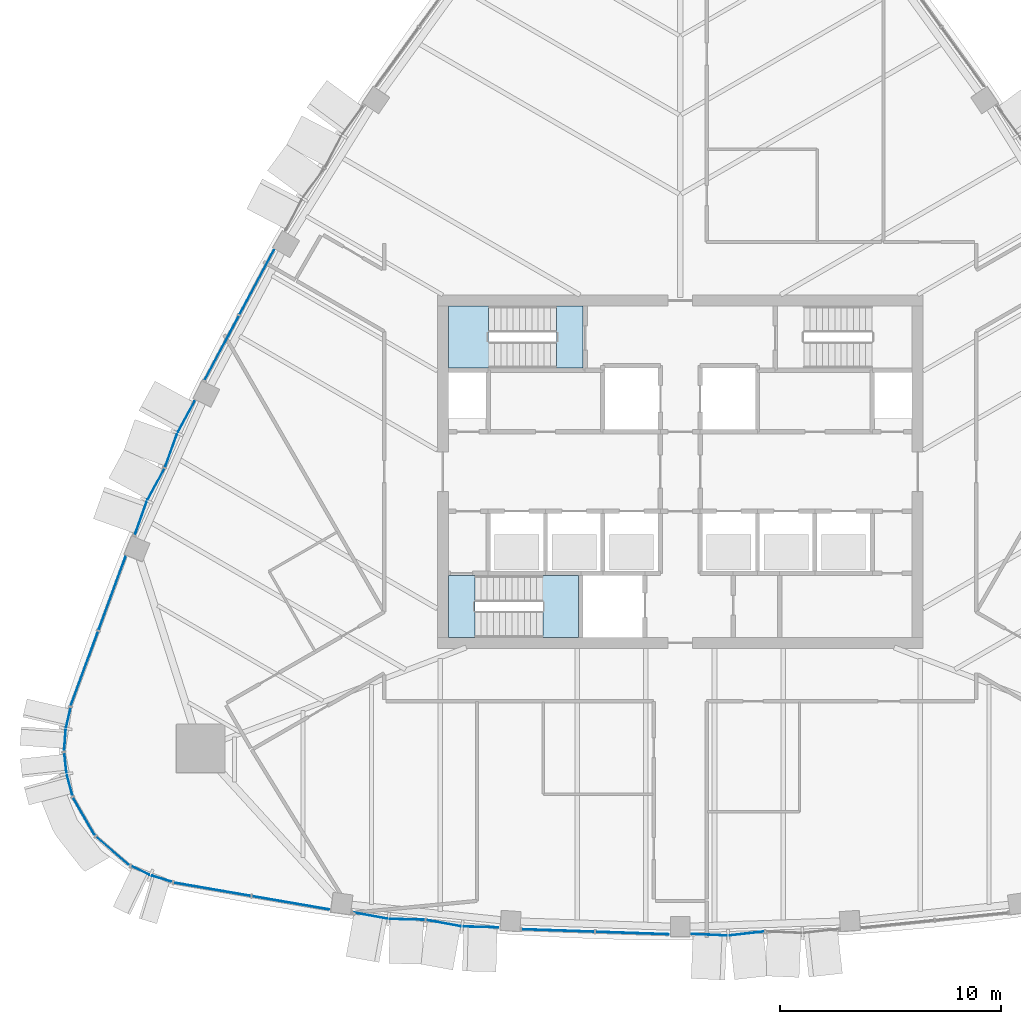
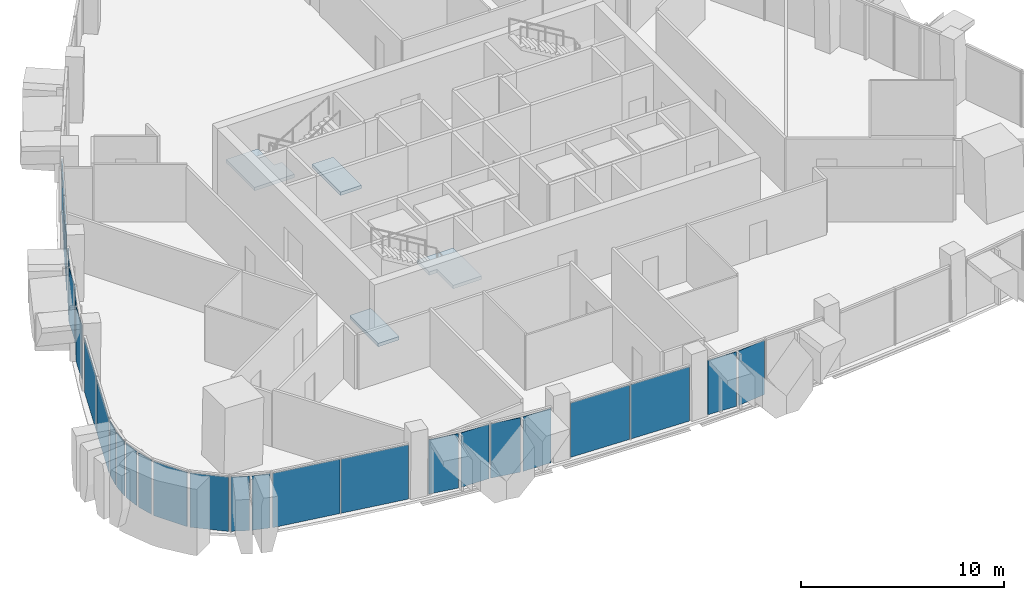
# One storey, part 8 of 18: 26 plates, 4 slabs, 14 elements without a shape of their own.
"""IFC4 building model written with IfcOpenShell, lengths in metres."""

from ifc_helpers import new_model, si_unit, direction, frame, origin, origin_2d, place, context, subcontext, project, spatial, polyline, rectangle, outline, extrude, material, layer, layer_set, type_object, element, aggregate, save


model = new_model("IFC4")

# Units and contexts
model_context = context("Model", 3, precision=1e-05, world=origin(), true_north=direction((0.0, 1.0)))
body_context = subcontext(model_context, "Body", "Model", "MODEL_VIEW")
ifc_project = project(units=[si_unit("LENGTHUNIT", "METRE"), si_unit("AREAUNIT", "SQUARE_METRE"), si_unit("VOLUMEUNIT", "CUBIC_METRE"), si_unit("PLANEANGLEUNIT", "RADIAN"), si_unit("MASSUNIT", "GRAM", prefix="KILO")], contexts=[model_context])

# Site, building, storey
site_placement = place(None, origin())
site = spatial("IfcSite", under=ifc_project, at=site_placement, CompositionType="ELEMENT")
building_placement = place(site_placement, origin())
building = spatial("IfcBuilding", under=site, at=building_placement, Name="Sierra Prisma Convention Tower", CompositionType="ELEMENT")
storey_placement = place(building_placement, frame((0.0, 0.0, 251.0)))
storey = spatial("IfcBuildingStorey", under=building, at=storey_placement, Name="L56", CompositionType="ELEMENT", Elevation=251.0)

# Curtain wall, plates
ifc_material_1 = material(Name="Aluminium and glass curtain wall", Category="aluminium")
ifc_layer_1 = layer(ifc_material_1, 0.179931640625)
ifc_layer_set_1 = layer_set([ifc_layer_1], Name="CW-1 Plain shaft curtain wall")
curtain_wall_type_1 = type_object("IfcCurtainWallType", Name="CW-1 Plain shaft curtain wall", PredefinedType="NOTDEFINED", material=ifc_layer_set_1)
curtain_wall_1_placement = place(storey_placement, origin())
curtain_wall_1 = element("IfcCurtainWall", 1, at=curtain_wall_1_placement, inside=storey, type_object=curtain_wall_type_1, Name="CW-1 S1 L56", PredefinedType="NOTDEFINED")
ifc_material_2 = material(Name="Tinted glass bronze-grey IGU", Category="glass")
ifc_layer_2 = layer(ifc_material_2, 0.028076171875)
ifc_layer_set_2 = layer_set([ifc_layer_2], Name="CW-1 glass panel")
plate_type_1 = type_object("IfcPlateType", Name="CW-1 glass panel", PredefinedType="CURTAIN_PANEL", material=ifc_layer_set_2)
plate_1_placement = place(storey_placement, frame((-21.185791015625, -18.90966796875, 0.0), z_axis=(0.0, 0.0, 1.0), x_axis=(0.985423226592, -0.170120735044, 0.0)))
plate_1 = element("IfcPlate", 2, at=plate_1_placement, type_object=plate_type_1, Name="CW-1 panel S1.1", PredefinedType="CURTAIN_PANEL", context=body_context, shape_type="SweptSolid", body=[
    extrude(rectangle(XDim=3.528564453125, YDim=0.028076171875, at=origin_2d()), origin(), (0.0, 0.0, 1.0), 3.280029296875),
])
plate_2_placement = place(storey_placement, frame((-17.6396484375, -19.521728515625, 0.0), z_axis=(0.0, 0.0, 1.0), x_axis=(0.985423226592, -0.170120735044, 0.0)))
plate_2 = element("IfcPlate", 3, at=plate_2_placement, type_object=plate_type_1, Name="CW-1 panel S1.2", PredefinedType="CURTAIN_PANEL", context=body_context, shape_type="SweptSolid", body=[
    extrude(rectangle(XDim=3.528564453125, YDim=0.028076171875, at=origin_2d()), origin(), (0.0, 0.0, 1.0), 3.280029296875),
])
aggregate(curtain_wall_1, [plate_1, plate_2])

curtain_wall_2_placement = place(storey_placement, origin())
curtain_wall_2 = element("IfcCurtainWall", 4, at=curtain_wall_2_placement, inside=storey, type_object=curtain_wall_type_1, Name="CW-1 S3 L56", PredefinedType="NOTDEFINED")
plate_3_placement = place(storey_placement, frame((-5.53271484375, -20.775146484375, 0.0), z_axis=(0.0, 0.0, 1.0), x_axis=(0.999415563919, -0.034183776803, 0.0)))
plate_3 = element("IfcPlate", 5, at=plate_3_placement, type_object=plate_type_1, Name="CW-1 panel S3.1", PredefinedType="CURTAIN_PANEL", context=body_context, shape_type="SweptSolid", body=[
    extrude(rectangle(XDim=3.29736328125, YDim=0.028076171875, at=origin_2d()), origin(), (0.0, 0.0, 1.0), 3.280029296875),
])
plate_4_placement = place(storey_placement, frame((-2.16748046875, -20.89013671875, 0.0), z_axis=(0.0, 0.0, 1.0), x_axis=(0.999415563919, -0.034183776803, 0.0)))
plate_4 = element("IfcPlate", 6, at=plate_4_placement, type_object=plate_type_1, Name="CW-1 panel S3.2", PredefinedType="CURTAIN_PANEL", context=body_context, shape_type="SweptSolid", body=[
    extrude(rectangle(XDim=3.29736328125, YDim=0.028076171875, at=origin_2d()), origin(), (0.0, 0.0, 1.0), 3.280029296875),
])
aggregate(curtain_wall_2, [plate_3, plate_4])

curtain_wall_3_placement = place(storey_placement, origin())
curtain_wall_3 = element("IfcCurtainWall", 7, at=curtain_wall_3_placement, inside=storey, type_object=curtain_wall_type_1, Name="CW-1 NW4 L56", PredefinedType="NOTDEFINED")
plate_5_placement = place(storey_placement, frame((-19.175048828125, 8.568115234375, 0.0), z_axis=(0.0, 0.0, 1.0), x_axis=(-0.470103762851, -0.882611155693, 0.0)))
plate_5 = element("IfcPlate", 8, at=plate_5_placement, type_object=plate_type_1, Name="CW-1 panel NW4.1", PredefinedType="CURTAIN_PANEL", context=body_context, shape_type="SweptSolid", body=[
    extrude(rectangle(XDim=3.29736328125, YDim=0.028076171875, at=origin_2d()), origin(), (0.0, 0.0, 1.0), 3.280029296875),
])
plate_6_placement = place(storey_placement, frame((-20.758056640625, 5.595947265625, 0.0), z_axis=(0.0, 0.0, 1.0), x_axis=(-0.470103762851, -0.882611155693, 0.0)))
plate_6 = element("IfcPlate", 9, at=plate_6_placement, type_object=plate_type_1, Name="CW-1 panel NW4.2", PredefinedType="CURTAIN_PANEL", context=body_context, shape_type="SweptSolid", body=[
    extrude(rectangle(XDim=3.29736328125, YDim=0.028076171875, at=origin_2d()), origin(), (0.0, 0.0, 1.0), 3.280029296875),
])
aggregate(curtain_wall_3, [plate_5, plate_6])

curtain_wall_4_placement = place(storey_placement, origin())
curtain_wall_4 = element("IfcCurtainWall", 10, at=curtain_wall_4_placement, inside=storey, type_object=curtain_wall_type_1, Name="CW-1 NW6 L56", PredefinedType="NOTDEFINED")
plate_7_placement = place(storey_placement, frame((-25.726318359375, -5.515625, 0.0), z_axis=(0.0, 0.0, 1.0), x_axis=(-0.345382735037, -0.938461915231, 0.0)))
plate_7 = element("IfcPlate", 11, at=plate_7_placement, type_object=plate_type_1, Name="CW-1 panel NW6.1", PredefinedType="CURTAIN_PANEL", context=body_context, shape_type="SweptSolid", body=[
    extrude(rectangle(XDim=3.528564453125, YDim=0.028076171875, at=origin_2d()), origin(), (0.0, 0.0, 1.0), 3.280029296875),
])
plate_8_placement = place(storey_placement, frame((-26.968994140625, -8.892578125, 0.0), z_axis=(0.0, 0.0, 1.0), x_axis=(-0.345382735037, -0.938461915231, 0.0)))
plate_8 = element("IfcPlate", 12, at=plate_8_placement, type_object=plate_type_1, Name="CW-1 panel NW6.2", PredefinedType="CURTAIN_PANEL", context=body_context, shape_type="SweptSolid", body=[
    extrude(rectangle(XDim=3.528564453125, YDim=0.028076171875, at=origin_2d()), origin(), (0.0, 0.0, 1.0), 3.280029296875),
])
aggregate(curtain_wall_4, [plate_7, plate_8])

# Curtain wall, plate
curtain_wall_5_placement = place(storey_placement, origin())
curtain_wall_5 = element("IfcCurtainWall", 13, at=curtain_wall_5_placement, inside=storey, type_object=curtain_wall_type_1, Name="CW-1 SW3 L56", PredefinedType="NOTDEFINED")
plate_9_placement = place(storey_placement, frame((-27.009765625, -15.593994140625, 0.0), z_axis=(0.0, 0.0, 1.0), x_axis=(0.5, -0.866025403784, 0.0)))
plate_9 = element("IfcPlate", 14, at=plate_9_placement, type_object=plate_type_1, Name="CW-1 panel SW3.1", PredefinedType="CURTAIN_PANEL", context=body_context, shape_type="SweptSolid", body=[
    extrude(rectangle(XDim=1.93115234375, YDim=0.028076171875, at=origin_2d()), origin(), (0.0, 0.0, 1.0), 3.280029296875),
])
aggregate(curtain_wall_5, [plate_9])

curtain_wall_6_placement = place(storey_placement, origin())
curtain_wall_6 = element("IfcCurtainWall", 15, at=curtain_wall_6_placement, inside=storey, type_object=curtain_wall_type_1, Name="CW-1 SW4 L56", PredefinedType="NOTDEFINED")
plate_10_placement = place(storey_placement, frame((-25.706787109375, -17.166259765625, 0.0), z_axis=(0.0, 0.0, 1.0), x_axis=(0.758117005895, -0.652118551624, 0.0)))
plate_10 = element("IfcPlate", 16, at=plate_10_placement, type_object=plate_type_1, Name="CW-1 panel SW4.1", PredefinedType="CURTAIN_PANEL", context=body_context, shape_type="SweptSolid", body=[
    extrude(rectangle(XDim=1.93115234375, YDim=0.028076171875, at=origin_2d()), origin(), (0.0, 0.0, 1.0), 3.280029296875),
])
aggregate(curtain_wall_6, [plate_10])

# Curtain wall, plates
ifc_material_3 = material(Name="Aluminium and glass curtain wall", Category="aluminium")
ifc_layer_3 = layer(ifc_material_3, 0.179931640625)
ifc_layer_set_3 = layer_set([ifc_layer_3], Name="CW-2 Faceted crystal curtain wall")
curtain_wall_type_2 = type_object("IfcCurtainWallType", Name="CW-2 Faceted crystal curtain wall", PredefinedType="NOTDEFINED", material=ifc_layer_set_3)
curtain_wall_7_placement = place(storey_placement, origin())
curtain_wall_7 = element("IfcCurtainWall", 17, at=curtain_wall_7_placement, inside=storey, type_object=curtain_wall_type_2, Name="CW-2 S2 L56", PredefinedType="NOTDEFINED")
ifc_material_4 = material(Name="Tinted glass bronze-grey IGU", Category="glass")
ifc_layer_4 = layer(ifc_material_4, 0.028076171875)
ifc_layer_set_4 = layer_set([ifc_layer_4], Name="CW-2 crystal pane")
plate_type_2 = type_object("IfcPlateType", Name="CW-2 crystal pane", PredefinedType="CURTAIN_PANEL", material=ifc_layer_set_4)
plate_11_placement = place(storey_placement, frame((-14.82763671875, -19.968017578125, 0.0), z_axis=(-0.180230746735, -0.983624358143, 0.0), x_axis=(0.983624358143, -0.180230746735, 0.0)))
plate_11 = element("IfcPlate", 18, at=plate_11_placement, type_object=plate_type_2, Name="CW-2 pane S2.1.1", PredefinedType="CURTAIN_PANEL", context=body_context, shape_type="SweptSolid", body=[
    extrude(outline(polyline([(0.0, 0.0), (1.5808185591918087, 0.0), (1.5808185591918087, 3.280029296875001), (0.0, 3.280029296875001), (0.0, 0.0)])), origin(), (0.0, 0.0, -1.0), 0.028076171875),
])
plate_12_placement = place(storey_placement, frame((-11.5634765625, -20.30419921875, 0.0), z_axis=(-0.024093112334, -0.999709718837, 0.0), x_axis=(-0.999709718837, 0.024093112334, 0.0)))
plate_12 = element("IfcPlate", 19, at=plate_12_placement, type_object=plate_type_2, Name="CW-2 pane S2.1.2", PredefinedType="CURTAIN_PANEL", context=body_context, shape_type="SweptSolid", body=[
    extrude(outline(polyline([(0.0, 0.0), (1.5807811366110702, 0.0), (1.5807811366110702, -3.2800292968749996), (0.0, -3.2800292968749996), (0.0, 0.0)])), origin(), (0.0, 0.0, -1.0), 0.028076171875),
])
plate_13_placement = place(storey_placement, frame((-11.493896484375, -20.311279296875, 0.0), z_axis=(-0.180081317799, -0.983651726466, 0.0), x_axis=(0.983651726466, -0.180081317799, 0.0)))
plate_13 = element("IfcPlate", 20, at=plate_13_placement, type_object=plate_type_2, Name="CW-2 pane S2.2.1", PredefinedType="CURTAIN_PANEL", context=body_context, shape_type="SweptSolid", body=[
    extrude(outline(polyline([(0.0, 0.0), (1.5807745757852398, 0.0), (1.5807745757852398, 3.280029296875001), (0.0, 3.280029296875001), (0.0, 0.0)])), origin(), (0.0, 0.0, -1.0), 0.028076171875),
])
plate_14_placement = place(storey_placement, frame((-8.229736328125, -20.647216796875, 0.0), z_axis=(-0.023938758097, -0.999713426868, 0.0), x_axis=(-0.999713426868, 0.023938758097, 0.0)))
plate_14 = element("IfcPlate", 21, at=plate_14_placement, type_object=plate_type_2, Name="CW-2 pane S2.2.2", PredefinedType="CURTAIN_PANEL", context=body_context, shape_type="SweptSolid", body=[
    extrude(outline(polyline([(0.0, 0.0), (1.5807752733456018, 0.0), (1.5807752733456018, -3.280029296875), (0.0, -3.280029296875), (0.0, 0.0)])), origin(), (0.0, 0.0, -1.0), 0.028076171875),
])
aggregate(curtain_wall_7, [plate_11, plate_12, plate_13, plate_14])

curtain_wall_8_placement = place(storey_placement, origin())
curtain_wall_8 = element("IfcCurtainWall", 22, at=curtain_wall_8_placement, inside=storey, type_object=curtain_wall_type_2, Name="CW-2 S4 L56", PredefinedType="NOTDEFINED")
plate_15_placement = place(storey_placement, frame((0.519775390625, -20.946533203125, 0.0), z_axis=(-0.044257468936, -0.999020158177, 0.0), x_axis=(0.999020158177, -0.044257468936, 0.0)))
plate_15 = element("IfcPlate", 23, at=plate_15_placement, type_object=plate_type_2, Name="CW-2 pane S4.1.1", PredefinedType="CURTAIN_PANEL", context=body_context, shape_type="SweptSolid", body=[
    extrude(outline(polyline([(0.0, 0.0), (1.5887148924219312, 0.0), (1.5887148924219312, 3.280029296875001), (0.0, 3.280029296875001), (0.0, 0.0)])), origin(), (0.0, 0.0, -1.0), 0.028076171875),
])
plate_16_placement = place(storey_placement, frame((3.815185546875, -20.833740234375, 0.0), z_axis=(0.112471841022, -0.99365491242, 0.0), x_axis=(-0.99365491242, -0.112471841022, 0.0)))
plate_16 = element("IfcPlate", 24, at=plate_16_placement, type_object=plate_type_2, Name="CW-2 pane S4.1.2", PredefinedType="CURTAIN_PANEL", context=body_context, shape_type="SweptSolid", body=[
    extrude(outline(polyline([(0.0, 0.0), (1.588939381408838, 0.0), (1.588939381408838, -3.280029296875), (0.0, -3.280029296875), (0.0, 0.0)])), origin(), (0.0, 0.0, -1.0), 0.028076171875),
])
aggregate(curtain_wall_8, [plate_15, plate_16])

curtain_wall_9_placement = place(storey_placement, origin())
curtain_wall_9 = element("IfcCurtainWall", 25, at=curtain_wall_9_placement, inside=storey, type_object=curtain_wall_type_2, Name="CW-2 NW5 L56", PredefinedType="NOTDEFINED")
plate_17_placement = place(storey_placement, frame((-21.995849609375, 3.196533203125, 0.0), z_axis=(-0.877789318095, 0.479046879791, 0.0), x_axis=(-0.479046879791, -0.877789318095, 0.0)))
plate_17 = element("IfcPlate", 26, at=plate_17_placement, type_object=plate_type_2, Name="CW-2 pane NW5.1.1", PredefinedType="CURTAIN_PANEL", context=body_context, shape_type="SweptSolid", body=[
    extrude(outline(polyline([(0.0, 0.0), (1.580897926065997, 0.0), (1.580897926065997, 3.280029296875), (0.0, 3.280029296875), (0.0, 0.0)])), origin(), (0.0, 0.0, -1.0), 0.028076171875),
])
plate_18_placement = place(storey_placement, frame((-23.3369140625, 0.20166015625, 0.0), z_axis=(-0.941947891639, 0.335759094347, 0.0), x_axis=(0.335759094347, 0.941947891639, 0.0)))
plate_18 = element("IfcPlate", 27, at=plate_18_placement, type_object=plate_type_2, Name="CW-2 pane NW5.1.2", PredefinedType="CURTAIN_PANEL", context=body_context, shape_type="SweptSolid", body=[
    extrude(outline(polyline([(0.0, 0.0), (1.580781362845958, 0.0), (1.580781362845958, -3.280029296875), (0.0, -3.280029296875), (0.0, 0.0)])), origin(), (0.0, 0.0, -1.0), 0.028076171875),
])
plate_19_placement = place(storey_placement, frame((-23.36572265625, 0.1376953125, 0.0), z_axis=(-0.877818821572, 0.478992814657, 0.0), x_axis=(-0.478992814657, -0.877818821572, 0.0)))
plate_19 = element("IfcPlate", 28, at=plate_19_placement, type_object=plate_type_2, Name="CW-2 pane NW5.2.1", PredefinedType="CURTAIN_PANEL", context=body_context, shape_type="SweptSolid", body=[
    extrude(outline(polyline([(0.0, 0.0), (1.5805666702265575, 0.0), (1.5805666702265575, 3.280029296875001), (0.0, 3.280029296875001), (0.0, 0.0)])), origin(), (0.0, 0.0, -1.0), 0.028076171875),
])
plate_20_placement = place(storey_placement, frame((-24.706787109375, -2.857177734375, 0.0), z_axis=(-0.941899038892, 0.335896115689, 0.0), x_axis=(0.335896115689, 0.941899038892, 0.0)))
plate_20 = element("IfcPlate", 29, at=plate_20_placement, type_object=plate_type_2, Name="CW-2 pane NW5.2.2", PredefinedType="CURTAIN_PANEL", context=body_context, shape_type="SweptSolid", body=[
    extrude(outline(polyline([(0.0, 0.0), (1.5808633520077733, 0.0), (1.5808633520077733, -3.2800292968749996), (0.0, -3.2800292968749996), (0.0, 0.0)])), origin(), (0.0, 0.0, -1.0), 0.028076171875),
])
aggregate(curtain_wall_9, [plate_17, plate_18, plate_19, plate_20])

curtain_wall_10_placement = place(storey_placement, origin())
curtain_wall_10 = element("IfcCurtainWall", 30, at=curtain_wall_10_placement, inside=storey, type_object=curtain_wall_type_2, Name="CW-2 SW1 L56", PredefinedType="NOTDEFINED")
plate_21_placement = place(storey_placement, frame((-27.613037109375, -10.68310546875, 0.0), z_axis=(-0.973970586098, 0.22667443044, 0.0), x_axis=(-0.22667443044, -0.973970586098, 0.0)))
plate_21 = element("IfcPlate", 31, at=plate_21_placement, type_object=plate_type_2, Name="CW-2 pane SW1.1.1", PredefinedType="CURTAIN_PANEL", context=body_context, shape_type="SweptSolid", body=[
    extrude(outline(polyline([(0.0, 0.0), (0.9036483911190425, 0.0), (0.9036483911190425, 3.280029296875), (0.0, 3.280029296875), (0.0, 0.0)])), origin(), (0.0, 0.0, -1.0), 0.028076171875),
])
plate_22_placement = place(storey_placement, frame((-27.901611328125, -12.5927734375, 0.0), z_axis=(-0.997453211268, 0.07132384826, 0.0), x_axis=(0.07132384826, 0.997453211268, 0.0)))
plate_22 = element("IfcPlate", 32, at=plate_22_placement, type_object=plate_type_2, Name="CW-2 pane SW1.1.2", PredefinedType="CURTAIN_PANEL", context=body_context, shape_type="SweptSolid", body=[
    extrude(outline(polyline([(0.0, 0.0), (0.9036686406111069, 0.0), (0.9036686406111069, -3.280029296875), (0.0, -3.280029296875), (0.0, 0.0)])), origin(), (0.0, 0.0, -1.0), 0.028076171875),
])
aggregate(curtain_wall_10, [plate_21, plate_22])

curtain_wall_11_placement = place(storey_placement, origin())
curtain_wall_11 = element("IfcCurtainWall", 33, at=curtain_wall_11_placement, inside=storey, type_object=curtain_wall_type_2, Name="CW-2 SW2 L56", PredefinedType="NOTDEFINED")
plate_23_placement = place(storey_placement, frame((-27.899169921875, -12.730712890625, 0.0), z_axis=(-0.994144463069, -0.108059180768, 0.0), x_axis=(0.108059180768, -0.994144463069, 0.0)))
plate_23 = element("IfcPlate", 34, at=plate_23_placement, type_object=plate_type_2, Name="CW-2 pane SW2.1.1", PredefinedType="CURTAIN_PANEL", context=body_context, shape_type="SweptSolid", body=[
    extrude(outline(polyline([(0.0, 0.0), (0.9037293204108809, 0.0), (0.9037293204108809, 3.280029296875), (0.0, 3.280029296875), (0.0, 0.0)])), origin(), (0.0, 0.0, -1.0), 0.028076171875),
])
plate_24_placement = place(storey_placement, frame((-27.54052734375, -14.62841796875, 0.0), z_axis=(-0.964981688905, -0.262317250819, 0.0), x_axis=(-0.262317250819, 0.964981688905, 0.0)))
plate_24 = element("IfcPlate", 35, at=plate_24_placement, type_object=plate_type_2, Name="CW-2 pane SW2.1.2", PredefinedType="CURTAIN_PANEL", context=body_context, shape_type="SweptSolid", body=[
    extrude(outline(polyline([(0.0, 0.0), (0.9037169539344284, 0.0), (0.9037169539344284, -3.280029296875), (0.0, -3.280029296875), (0.0, 0.0)])), origin(), (0.0, 0.0, -1.0), 0.028076171875),
])
aggregate(curtain_wall_11, [plate_23, plate_24])

curtain_wall_12_placement = place(storey_placement, origin())
curtain_wall_12 = element("IfcCurtainWall", 36, at=curtain_wall_12_placement, inside=storey, type_object=curtain_wall_type_2, Name="CW-2 SW5 L56", PredefinedType="NOTDEFINED")
plate_25_placement = place(storey_placement, frame((-24.8564453125, -17.8671875, 0.0), z_axis=(-0.436916455517, -0.899502090547, 0.0), x_axis=(0.899502090547, -0.436916455517, 0.0)))
plate_25 = element("IfcPlate", 37, at=plate_25_placement, type_object=plate_type_2, Name="CW-2 pane SW5.1.1", PredefinedType="CURTAIN_PANEL", context=body_context, shape_type="SweptSolid", body=[
    extrude(outline(polyline([(0.0, 0.0), (0.9035489179692437, 0.0), (0.9035489179692437, 3.280029296875), (0.0, 3.280029296875), (0.0, 0.0)])), origin(), (0.0, 0.0, -1.0), 0.028076171875),
])
plate_26_placement = place(storey_placement, frame((-23.058349609375, -18.572021484375, 0.0), z_axis=(-0.290667105188, -0.956824244029, 0.0), x_axis=(-0.956824244029, 0.290667105188, 0.0)))
plate_26 = element("IfcPlate", 38, at=plate_26_placement, type_object=plate_type_2, Name="CW-2 pane SW5.1.2", PredefinedType="CURTAIN_PANEL", context=body_context, shape_type="SweptSolid", body=[
    extrude(outline(polyline([(0.0, 0.0), (0.903766913460189, 0.0), (0.903766913460189, -3.280029296875), (0.0, -3.280029296875), (0.0, 0.0)])), origin(), (0.0, 0.0, -1.0), 0.028076171875),
])
aggregate(curtain_wall_12, [plate_25, plate_26])

# Stair, slab
ifc_material_5 = material(Name="Concrete C30/37", Category="concrete")
stair_type = type_object("IfcStairType", Name="Stair dog-leg 1200 RC", PredefinedType="HALF_TURN_STAIR", material=ifc_material_5)
stair_1_placement = place(storey_placement, origin())
stair_1 = element("IfcStair", 39, at=stair_1_placement, inside=storey, type_object=stair_type, Name="L56 S1", PredefinedType="HALF_TURN_STAIR")
ifc_material_6 = material(Name="Concrete C35/45", Category="concrete")
ifc_layer_5 = layer(ifc_material_6, 0.199951171875)
ifc_layer_set_5 = layer_set([ifc_layer_5], Name="Stair landing slab")
slab_type = type_object("IfcSlabType", Name="Stair landing slab", PredefinedType="LANDING", material=ifc_layer_set_5)
slab_1_placement = place(storey_placement, frame((0.0, 0.0, 1.800048828125)))
slab_1 = element("IfcSlab", 40, at=slab_1_placement, type_object=slab_type, Name="S1 landing 1", PredefinedType="LANDING", context=body_context, shape_type="SweptSolid", body=[
    extrude(outline(polyline([(-4.60009765625, -4.699951171875), (-4.60009765625, -7.5), (-6.221923828125, -7.5), (-6.221923828125, -5.89990234375), (-6.669921875, -5.89990234375), (-6.669921875, -4.699951171875), (-4.60009765625, -4.699951171875)])), origin(), (0.0, 0.0, 1.0), 0.199951171875),
])
aggregate(stair_1, [slab_1])

# Slab
slab_2_placement = place(storey_placement, frame((0.0, 0.0, -0.199951171875)))
element("IfcSlab", 41, at=slab_2_placement, inside=storey, type_object=slab_type, Name="S1 floor landing L56", PredefinedType="LANDING", context=body_context, shape_type="SweptSolid", body=[
    extrude(outline(polyline([(-10.5, -7.5), (-9.298095703125, -7.5), (-9.298095703125, -4.699951171875), (-10.5, -4.699951171875), (-10.5, -7.5)])), origin(), (0.0, 0.0, 1.0), 0.199951171875),
])

# Stair, slab
stair_2_placement = place(storey_placement, origin())
stair_2 = element("IfcStair", 42, at=stair_2_placement, inside=storey, type_object=stair_type, Name="L56 S3", PredefinedType="HALF_TURN_STAIR")
slab_3_placement = place(storey_placement, frame((0.0, 0.0, 1.800048828125)))
slab_3 = element("IfcSlab", 43, at=slab_3_placement, type_object=slab_type, Name="S3 landing 1", PredefinedType="LANDING", context=body_context, shape_type="SweptSolid", body=[
    extrude(outline(polyline([(-8.22998046875, 5.89990234375), (-8.22998046875, 4.699951171875), (-10.5, 4.699951171875), (-10.5, 7.5), (-8.677978515625, 7.5), (-8.677978515625, 5.89990234375), (-8.22998046875, 5.89990234375)])), origin(), (0.0, 0.0, 1.0), 0.199951171875),
])
aggregate(stair_2, [slab_3])

# Slab
slab_4_placement = place(storey_placement, frame((0.0, 0.0, -0.199951171875)))
element("IfcSlab", 44, at=slab_4_placement, inside=storey, type_object=slab_type, Name="S3 floor landing L56", PredefinedType="LANDING", context=body_context, shape_type="SweptSolid", body=[
    extrude(outline(polyline([(-4.39990234375, 7.5), (-5.60205078125, 7.5), (-5.60205078125, 4.699951171875), (-4.39990234375, 4.699951171875), (-4.39990234375, 7.5)])), origin(), (0.0, 0.0, 1.0), 0.199951171875),
])

save(model, "model.ifc")
